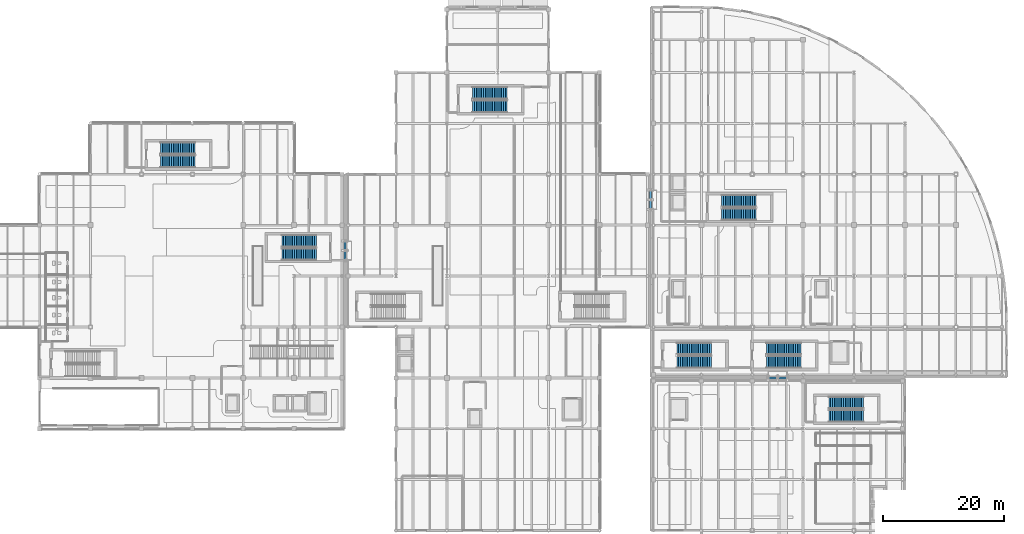
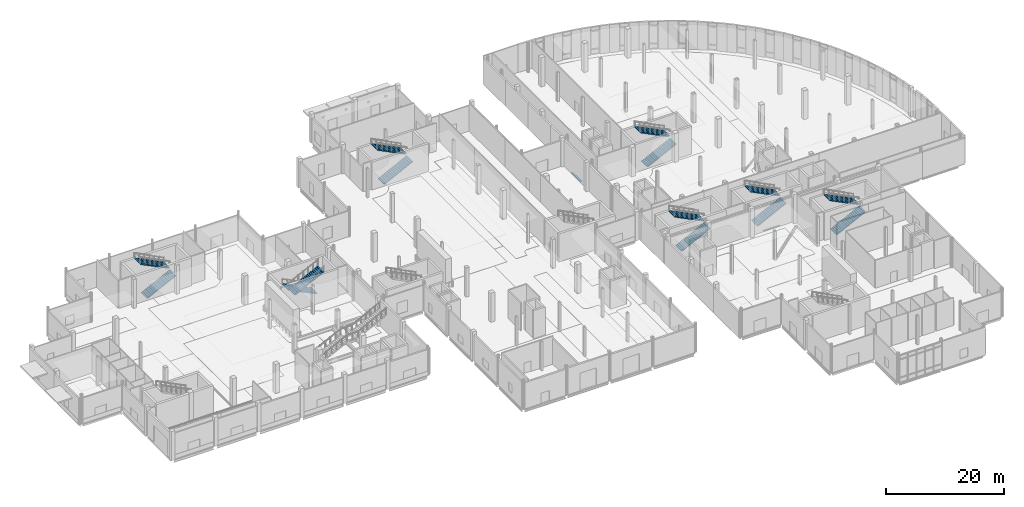
# One storey, part 55 of 85: 14 stair flights, 3 discrete accessories, 7 elements without a shape of their own.
"""IFC4 building model written with IfcOpenShell, lengths in metres."""

from ifc_helpers import new_model, si_unit, direction, frame, origin, origin_2d, place, context, subcontext, project, spatial, polyline, rectangle, outline, extrude, material, type_object, element, aggregate, save


model = new_model("IFC4")

# Units and contexts
model_context = context("Model", 3, precision=1e-05, world=origin(), true_north=direction((0.0, 1.0)))
body_context = subcontext(model_context, "Body", "Model", "MODEL_VIEW")
ifc_project = project(units=[si_unit("LENGTHUNIT", "METRE"), si_unit("AREAUNIT", "SQUARE_METRE"), si_unit("VOLUMEUNIT", "CUBIC_METRE"), si_unit("PLANEANGLEUNIT", "RADIAN"), si_unit("MASSUNIT", "GRAM", prefix="KILO"), si_unit("THERMODYNAMICTEMPERATUREUNIT", "KELVIN")], contexts=[model_context])

# Site, building, storey
site_placement = place(None, origin())
site = spatial("IfcSite", under=ifc_project, at=site_placement, CompositionType="ELEMENT")
building_placement = place(site_placement, origin())
building = spatial("IfcBuilding", under=site, at=building_placement, Name="Lustrewick Department Store", CompositionType="ELEMENT")
storey_placement = place(building_placement, origin())
storey = spatial("IfcBuildingStorey", under=building, at=storey_placement, Name="L01", CompositionType="ELEMENT", Elevation=0.0)

# Stair, stair flights
ifc_material_1 = material(Name="Concrete C30", Category="concrete")
stair_type = type_object("IfcStairType", Name="ST-H60", PredefinedType="HALF_TURN_STAIR", material=ifc_material_1)
stair_1_placement = place(storey_placement, origin())
stair_1 = element("IfcStair", 1, at=stair_1_placement, inside=storey, type_object=stair_type, Name="L01 Smoke-Proof Exit Stair ST02", PredefinedType="HALF_TURN_STAIR")
stair_flight_type = type_object("IfcStairFlightType", Name="SF-H60", PredefinedType="STRAIGHT", material=ifc_material_1)
stair_flight_1_placement = place(storey_placement, frame((54.050048828125, 73.0, 0.0), z_axis=(0.0, 0.0, 1.0), x_axis=(-1.0, 0.0, 0.0)))
stair_flight_1 = element("IfcStairFlight", 2, at=stair_flight_1_placement, type_object=stair_flight_type, Name="ST-H60 flight 1", NumberOfRisers=20, NumberOfTreads=19, PredefinedType="STRAIGHT", RiserHeight=0.15, TreadLength=0.3, context=body_context, shape_type="SweptSolid", body=[
    extrude(outline(polyline([(0.0, 0.0), (0.0, 0.14990234375), (0.300048828125, 0.14990234375), (0.300048828125, 0.300048828125), (0.60009765625, 0.300048828125), (0.60009765625, 0.449951171875), (0.89990234375, 0.449951171875), (0.89990234375, 0.60009765625), (1.199951171875, 0.60009765625), (1.199951171875, 0.75), (1.5, 0.75), (1.5, 0.89990234375), (1.800048828125, 0.89990234375), (1.800048828125, 1.050048828125), (2.10009765625, 1.050048828125), (2.10009765625, 1.199951171875), (2.39990234375, 1.199951171875), (2.39990234375, 1.35009765625), (2.699951171875, 1.35009765625), (2.699951171875, 1.5), (3.0, 1.5), (3.0, 1.64990234375), (3.300048828125, 1.64990234375), (3.300048828125, 1.800048828125), (3.60009765625, 1.800048828125), (3.60009765625, 1.949951171875), (3.89990234375, 1.949951171875), (3.89990234375, 2.10009765625), (4.199951171875, 2.10009765625), (4.199951171875, 2.25), (4.5, 2.25), (4.5, 2.39990234375), (4.800048828125, 2.39990234375), (4.800048828125, 2.550048828125), (5.10009765625, 2.550048828125), (5.10009765625, 2.699951171875), (5.39990234375, 2.699951171875), (5.39990234375, 2.85009765625), (5.699951171875, 2.85009765625), (5.699951171875, 3.0), (5.699951171875, 2.671142578125), (0.357666015625, 0.0), (0.0, 0.0)])), frame((0.0, 1.0, 0.0), z_axis=(0.0, -1.0, 0.0), x_axis=(1.0, 0.0, 0.0)), (0.0, 0.0, 1.0), 2.0),
])
stair_flight_2_placement = place(storey_placement, frame((48.35009765625, 70.800048828125, 3.0), z_axis=(0.0, 0.0, 1.0), x_axis=(1.0, 0.0, 0.0)))
stair_flight_2 = element("IfcStairFlight", 3, at=stair_flight_2_placement, type_object=stair_flight_type, Name="ST-H60 flight 2", NumberOfRisers=20, NumberOfTreads=19, PredefinedType="STRAIGHT", RiserHeight=0.15, TreadLength=0.3, context=body_context, shape_type="SweptSolid", body=[
    extrude(outline(polyline([(0.0, 0.0), (0.0, 0.14990234375), (0.300048828125, 0.14990234375), (0.300048828125, 0.300048828125), (0.60009765625, 0.300048828125), (0.60009765625, 0.449951171875), (0.89990234375, 0.449951171875), (0.89990234375, 0.60009765625), (1.199951171875, 0.60009765625), (1.199951171875, 0.75), (1.5, 0.75), (1.5, 0.89990234375), (1.800048828125, 0.89990234375), (1.800048828125, 1.050048828125), (2.10009765625, 1.050048828125), (2.10009765625, 1.199951171875), (2.39990234375, 1.199951171875), (2.39990234375, 1.35009765625), (2.699951171875, 1.35009765625), (2.699951171875, 1.5), (3.0, 1.5), (3.0, 1.64990234375), (3.300048828125, 1.64990234375), (3.300048828125, 1.800048828125), (3.60009765625, 1.800048828125), (3.60009765625, 1.949951171875), (3.89990234375, 1.949951171875), (3.89990234375, 2.10009765625), (4.199951171875, 2.10009765625), (4.199951171875, 2.25), (4.5, 2.25), (4.5, 2.39990234375), (4.800048828125, 2.39990234375), (4.800048828125, 2.550048828125), (5.10009765625, 2.550048828125), (5.10009765625, 2.699951171875), (5.39990234375, 2.699951171875), (5.39990234375, 2.85009765625), (5.699951171875, 2.85009765625), (5.699951171875, 3.0), (5.699951171875, 2.671142578125), (0.357666015625, 0.0), (0.0, 0.0)])), frame((0.0, 1.0, 0.0), z_axis=(0.0, -1.0, 0.0), x_axis=(1.0, 0.0, 0.0)), (0.0, 0.0, 1.0), 2.0),
])
aggregate(stair_1, [stair_flight_1, stair_flight_2])

stair_2_placement = place(storey_placement, origin())
stair_2 = element("IfcStair", 4, at=stair_2_placement, inside=storey, type_object=stair_type, Name="L01 Smoke-Proof Exit Stair ST03", PredefinedType="HALF_TURN_STAIR")
stair_flight_3_placement = place(storey_placement, frame((28.35009765625, 86.10009765625, 0.0), z_axis=(0.0, 0.0, 1.0), x_axis=(1.0, 0.0, 0.0)))
stair_flight_3 = element("IfcStairFlight", 5, at=stair_flight_3_placement, type_object=stair_flight_type, Name="ST-H60 flight 1", NumberOfRisers=20, NumberOfTreads=19, PredefinedType="STRAIGHT", RiserHeight=0.15, TreadLength=0.3, context=body_context, shape_type="SweptSolid", body=[
    extrude(outline(polyline([(0.0, 0.0), (0.0, 0.14990234375), (0.300048828125, 0.14990234375), (0.300048828125, 0.300048828125), (0.60009765625, 0.300048828125), (0.60009765625, 0.449951171875), (0.89990234375, 0.449951171875), (0.89990234375, 0.60009765625), (1.199951171875, 0.60009765625), (1.199951171875, 0.75), (1.5, 0.75), (1.5, 0.89990234375), (1.800048828125, 0.89990234375), (1.800048828125, 1.050048828125), (2.10009765625, 1.050048828125), (2.10009765625, 1.199951171875), (2.39990234375, 1.199951171875), (2.39990234375, 1.35009765625), (2.699951171875, 1.35009765625), (2.699951171875, 1.5), (3.0, 1.5), (3.0, 1.64990234375), (3.300048828125, 1.64990234375), (3.300048828125, 1.800048828125), (3.60009765625, 1.800048828125), (3.60009765625, 1.949951171875), (3.89990234375, 1.949951171875), (3.89990234375, 2.10009765625), (4.199951171875, 2.10009765625), (4.199951171875, 2.25), (4.5, 2.25), (4.5, 2.39990234375), (4.800048828125, 2.39990234375), (4.800048828125, 2.550048828125), (5.10009765625, 2.550048828125), (5.10009765625, 2.699951171875), (5.39990234375, 2.699951171875), (5.39990234375, 2.85009765625), (5.699951171875, 2.85009765625), (5.699951171875, 3.0), (5.699951171875, 2.671142578125), (0.357666015625, 0.0), (0.0, 0.0)])), frame((0.0, 1.0, 0.0), z_axis=(0.0, -1.0, 0.0), x_axis=(1.0, 0.0, 0.0)), (0.0, 0.0, 1.0), 2.0),
])
stair_flight_4_placement = place(storey_placement, frame((34.050048828125, 88.300048828125, 3.0), z_axis=(0.0, 0.0, 1.0), x_axis=(-1.0, 0.0, 0.0)))
stair_flight_4 = element("IfcStairFlight", 6, at=stair_flight_4_placement, type_object=stair_flight_type, Name="ST-H60 flight 2", NumberOfRisers=20, NumberOfTreads=19, PredefinedType="STRAIGHT", RiserHeight=0.15, TreadLength=0.3, context=body_context, shape_type="SweptSolid", body=[
    extrude(outline(polyline([(0.0, 0.0), (0.0, 0.14990234375), (0.300048828125, 0.14990234375), (0.300048828125, 0.300048828125), (0.60009765625, 0.300048828125), (0.60009765625, 0.449951171875), (0.89990234375, 0.449951171875), (0.89990234375, 0.60009765625), (1.199951171875, 0.60009765625), (1.199951171875, 0.75), (1.5, 0.75), (1.5, 0.89990234375), (1.800048828125, 0.89990234375), (1.800048828125, 1.050048828125), (2.10009765625, 1.050048828125), (2.10009765625, 1.199951171875), (2.39990234375, 1.199951171875), (2.39990234375, 1.35009765625), (2.699951171875, 1.35009765625), (2.699951171875, 1.5), (3.0, 1.5), (3.0, 1.64990234375), (3.300048828125, 1.64990234375), (3.300048828125, 1.800048828125), (3.60009765625, 1.800048828125), (3.60009765625, 1.949951171875), (3.89990234375, 1.949951171875), (3.89990234375, 2.10009765625), (4.199951171875, 2.10009765625), (4.199951171875, 2.25), (4.5, 2.25), (4.5, 2.39990234375), (4.800048828125, 2.39990234375), (4.800048828125, 2.550048828125), (5.10009765625, 2.550048828125), (5.10009765625, 2.699951171875), (5.39990234375, 2.699951171875), (5.39990234375, 2.85009765625), (5.699951171875, 2.85009765625), (5.699951171875, 3.0), (5.699951171875, 2.671142578125), (0.357666015625, 0.0), (0.0, 0.0)])), frame((0.0, 1.0, 0.0), z_axis=(0.0, -1.0, 0.0), x_axis=(1.0, 0.0, 0.0)), (0.0, 0.0, 1.0), 2.0),
])
aggregate(stair_2, [stair_flight_3, stair_flight_4])

stair_3_placement = place(storey_placement, origin())
stair_3 = element("IfcStair", 7, at=stair_3_placement, inside=storey, type_object=stair_type, Name="L01 Smoke-Proof Exit Stair ST06", PredefinedType="HALF_TURN_STAIR")
stair_flight_5_placement = place(storey_placement, frame((79.85009765625, 95.199951171875, 0.0), z_axis=(0.0, 0.0, 1.0), x_axis=(1.0, 0.0, 0.0)))
stair_flight_5 = element("IfcStairFlight", 8, at=stair_flight_5_placement, type_object=stair_flight_type, Name="ST-H60 flight 1", NumberOfRisers=20, NumberOfTreads=19, PredefinedType="STRAIGHT", RiserHeight=0.15, TreadLength=0.3, context=body_context, shape_type="SweptSolid", body=[
    extrude(outline(polyline([(0.0, 0.0), (0.0, 0.14990234375), (0.300048828125, 0.14990234375), (0.300048828125, 0.300048828125), (0.60009765625, 0.300048828125), (0.60009765625, 0.449951171875), (0.89990234375, 0.449951171875), (0.89990234375, 0.60009765625), (1.199951171875, 0.60009765625), (1.199951171875, 0.75), (1.5, 0.75), (1.5, 0.89990234375), (1.800048828125, 0.89990234375), (1.800048828125, 1.050048828125), (2.10009765625, 1.050048828125), (2.10009765625, 1.199951171875), (2.39990234375, 1.199951171875), (2.39990234375, 1.35009765625), (2.699951171875, 1.35009765625), (2.699951171875, 1.5), (3.0, 1.5), (3.0, 1.64990234375), (3.300048828125, 1.64990234375), (3.300048828125, 1.800048828125), (3.60009765625, 1.800048828125), (3.60009765625, 1.949951171875), (3.89990234375, 1.949951171875), (3.89990234375, 2.10009765625), (4.199951171875, 2.10009765625), (4.199951171875, 2.25), (4.5, 2.25), (4.5, 2.39990234375), (4.800048828125, 2.39990234375), (4.800048828125, 2.550048828125), (5.10009765625, 2.550048828125), (5.10009765625, 2.699951171875), (5.39990234375, 2.699951171875), (5.39990234375, 2.85009765625), (5.699951171875, 2.85009765625), (5.699951171875, 3.0), (5.699951171875, 2.671142578125), (0.357666015625, 0.0), (0.0, 0.0)])), frame((0.0, 1.0, 0.0), z_axis=(0.0, -1.0, 0.0), x_axis=(1.0, 0.0, 0.0)), (0.0, 0.0, 1.0), 2.0),
])
stair_flight_6_placement = place(storey_placement, frame((85.550048828125, 97.39990234375, 3.0), z_axis=(0.0, 0.0, 1.0), x_axis=(-1.0, 0.0, 0.0)))
stair_flight_6 = element("IfcStairFlight", 9, at=stair_flight_6_placement, type_object=stair_flight_type, Name="ST-H60 flight 2", NumberOfRisers=20, NumberOfTreads=19, PredefinedType="STRAIGHT", RiserHeight=0.15, TreadLength=0.3, context=body_context, shape_type="SweptSolid", body=[
    extrude(outline(polyline([(0.0, 0.0), (0.0, 0.14990234375), (0.300048828125, 0.14990234375), (0.300048828125, 0.300048828125), (0.60009765625, 0.300048828125), (0.60009765625, 0.449951171875), (0.89990234375, 0.449951171875), (0.89990234375, 0.60009765625), (1.199951171875, 0.60009765625), (1.199951171875, 0.75), (1.5, 0.75), (1.5, 0.89990234375), (1.800048828125, 0.89990234375), (1.800048828125, 1.050048828125), (2.10009765625, 1.050048828125), (2.10009765625, 1.199951171875), (2.39990234375, 1.199951171875), (2.39990234375, 1.35009765625), (2.699951171875, 1.35009765625), (2.699951171875, 1.5), (3.0, 1.5), (3.0, 1.64990234375), (3.300048828125, 1.64990234375), (3.300048828125, 1.800048828125), (3.60009765625, 1.800048828125), (3.60009765625, 1.949951171875), (3.89990234375, 1.949951171875), (3.89990234375, 2.10009765625), (4.199951171875, 2.10009765625), (4.199951171875, 2.25), (4.5, 2.25), (4.5, 2.39990234375), (4.800048828125, 2.39990234375), (4.800048828125, 2.550048828125), (5.10009765625, 2.550048828125), (5.10009765625, 2.699951171875), (5.39990234375, 2.699951171875), (5.39990234375, 2.85009765625), (5.699951171875, 2.85009765625), (5.699951171875, 3.0), (5.699951171875, 2.671142578125), (0.357666015625, 0.0), (0.0, 0.0)])), frame((0.0, 1.0, 0.0), z_axis=(0.0, -1.0, 0.0), x_axis=(1.0, 0.0, 0.0)), (0.0, 0.0, 1.0), 2.0),
])
aggregate(stair_3, [stair_flight_5, stair_flight_6])

stair_4_placement = place(storey_placement, origin())
stair_4 = element("IfcStair", 10, at=stair_4_placement, inside=storey, type_object=stair_type, Name="L01 Smoke-Proof Exit Stair ST08", PredefinedType="HALF_TURN_STAIR")
stair_flight_7_placement = place(storey_placement, frame((138.64990234375, 44.10009765625, 0.0), z_axis=(0.0, 0.0, 1.0), x_axis=(1.0, 0.0, 0.0)))
stair_flight_7 = element("IfcStairFlight", 11, at=stair_flight_7_placement, type_object=stair_flight_type, Name="ST-H60 flight 1", NumberOfRisers=20, NumberOfTreads=19, PredefinedType="STRAIGHT", RiserHeight=0.15, TreadLength=0.3, context=body_context, shape_type="SweptSolid", body=[
    extrude(outline(polyline([(0.0, 0.0), (0.0, 0.14990234375), (0.300048828125, 0.14990234375), (0.300048828125, 0.300048828125), (0.60009765625, 0.300048828125), (0.60009765625, 0.449951171875), (0.89990234375, 0.449951171875), (0.89990234375, 0.60009765625), (1.199951171875, 0.60009765625), (1.199951171875, 0.75), (1.5, 0.75), (1.5, 0.89990234375), (1.800048828125, 0.89990234375), (1.800048828125, 1.050048828125), (2.10009765625, 1.050048828125), (2.10009765625, 1.199951171875), (2.39990234375, 1.199951171875), (2.39990234375, 1.35009765625), (2.699951171875, 1.35009765625), (2.699951171875, 1.5), (3.0, 1.5), (3.0, 1.64990234375), (3.300048828125, 1.64990234375), (3.300048828125, 1.800048828125), (3.60009765625, 1.800048828125), (3.60009765625, 1.949951171875), (3.89990234375, 1.949951171875), (3.89990234375, 2.10009765625), (4.199951171875, 2.10009765625), (4.199951171875, 2.25), (4.5, 2.25), (4.5, 2.39990234375), (4.800048828125, 2.39990234375), (4.800048828125, 2.550048828125), (5.10009765625, 2.550048828125), (5.10009765625, 2.699951171875), (5.39990234375, 2.699951171875), (5.39990234375, 2.85009765625), (5.699951171875, 2.85009765625), (5.699951171875, 3.0), (5.699951171875, 2.671142578125), (0.357666015625, 0.0), (0.0, 0.0)])), frame((0.0, 1.0, 0.0), z_axis=(0.0, -1.0, 0.0), x_axis=(1.0, 0.0, 0.0)), (0.0, 0.0, 1.0), 2.0),
])
stair_flight_8_placement = place(storey_placement, frame((144.35009765625, 46.300048828125, 3.0), z_axis=(0.0, 0.0, 1.0), x_axis=(-1.0, 0.0, 0.0)))
stair_flight_8 = element("IfcStairFlight", 12, at=stair_flight_8_placement, type_object=stair_flight_type, Name="ST-H60 flight 2", NumberOfRisers=20, NumberOfTreads=19, PredefinedType="STRAIGHT", RiserHeight=0.15, TreadLength=0.3, context=body_context, shape_type="SweptSolid", body=[
    extrude(outline(polyline([(0.0, 0.0), (0.0, 0.14990234375), (0.300048828125, 0.14990234375), (0.300048828125, 0.300048828125), (0.60009765625, 0.300048828125), (0.60009765625, 0.449951171875), (0.89990234375, 0.449951171875), (0.89990234375, 0.60009765625), (1.199951171875, 0.60009765625), (1.199951171875, 0.75), (1.5, 0.75), (1.5, 0.89990234375), (1.800048828125, 0.89990234375), (1.800048828125, 1.050048828125), (2.10009765625, 1.050048828125), (2.10009765625, 1.199951171875), (2.39990234375, 1.199951171875), (2.39990234375, 1.35009765625), (2.699951171875, 1.35009765625), (2.699951171875, 1.5), (3.0, 1.5), (3.0, 1.64990234375), (3.300048828125, 1.64990234375), (3.300048828125, 1.800048828125), (3.60009765625, 1.800048828125), (3.60009765625, 1.949951171875), (3.89990234375, 1.949951171875), (3.89990234375, 2.10009765625), (4.199951171875, 2.10009765625), (4.199951171875, 2.25), (4.5, 2.25), (4.5, 2.39990234375), (4.800048828125, 2.39990234375), (4.800048828125, 2.550048828125), (5.10009765625, 2.550048828125), (5.10009765625, 2.699951171875), (5.39990234375, 2.699951171875), (5.39990234375, 2.85009765625), (5.699951171875, 2.85009765625), (5.699951171875, 3.0), (5.699951171875, 2.671142578125), (0.357666015625, 0.0), (0.0, 0.0)])), frame((0.0, 1.0, 0.0), z_axis=(0.0, -1.0, 0.0), x_axis=(1.0, 0.0, 0.0)), (0.0, 0.0, 1.0), 2.0),
])
aggregate(stair_4, [stair_flight_7, stair_flight_8])

stair_5_placement = place(storey_placement, origin())
stair_5 = element("IfcStair", 13, at=stair_5_placement, inside=storey, type_object=stair_type, Name="L01 Smoke-Proof Exit Stair ST09", PredefinedType="HALF_TURN_STAIR")
stair_flight_9_placement = place(storey_placement, frame((113.550048828125, 53.0, 0.0), z_axis=(0.0, 0.0, 1.0), x_axis=(1.0, 0.0, 0.0)))
stair_flight_9 = element("IfcStairFlight", 14, at=stair_flight_9_placement, type_object=stair_flight_type, Name="ST-H60 flight 1", NumberOfRisers=20, NumberOfTreads=19, PredefinedType="STRAIGHT", RiserHeight=0.15, TreadLength=0.3, context=body_context, shape_type="SweptSolid", body=[
    extrude(outline(polyline([(0.0, 0.0), (0.0, 0.14990234375), (0.300048828125, 0.14990234375), (0.300048828125, 0.300048828125), (0.60009765625, 0.300048828125), (0.60009765625, 0.449951171875), (0.89990234375, 0.449951171875), (0.89990234375, 0.60009765625), (1.199951171875, 0.60009765625), (1.199951171875, 0.75), (1.5, 0.75), (1.5, 0.89990234375), (1.800048828125, 0.89990234375), (1.800048828125, 1.050048828125), (2.10009765625, 1.050048828125), (2.10009765625, 1.199951171875), (2.39990234375, 1.199951171875), (2.39990234375, 1.35009765625), (2.699951171875, 1.35009765625), (2.699951171875, 1.5), (3.0, 1.5), (3.0, 1.64990234375), (3.300048828125, 1.64990234375), (3.300048828125, 1.800048828125), (3.60009765625, 1.800048828125), (3.60009765625, 1.949951171875), (3.89990234375, 1.949951171875), (3.89990234375, 2.10009765625), (4.199951171875, 2.10009765625), (4.199951171875, 2.25), (4.5, 2.25), (4.5, 2.39990234375), (4.800048828125, 2.39990234375), (4.800048828125, 2.550048828125), (5.10009765625, 2.550048828125), (5.10009765625, 2.699951171875), (5.39990234375, 2.699951171875), (5.39990234375, 2.85009765625), (5.699951171875, 2.85009765625), (5.699951171875, 3.0), (5.699951171875, 2.671142578125), (0.357666015625, 0.0), (0.0, 0.0)])), frame((0.0, 1.0, 0.0), z_axis=(0.0, -1.0, 0.0), x_axis=(1.0, 0.0, 0.0)), (0.0, 0.0, 1.0), 2.0),
])
stair_flight_10_placement = place(storey_placement, frame((119.25, 55.199951171875, 3.0), z_axis=(0.0, 0.0, 1.0), x_axis=(-1.0, 0.0, 0.0)))
stair_flight_10 = element("IfcStairFlight", 15, at=stair_flight_10_placement, type_object=stair_flight_type, Name="ST-H60 flight 2", NumberOfRisers=20, NumberOfTreads=19, PredefinedType="STRAIGHT", RiserHeight=0.15, TreadLength=0.3, context=body_context, shape_type="SweptSolid", body=[
    extrude(outline(polyline([(0.0, 0.0), (0.0, 0.14990234375), (0.300048828125, 0.14990234375), (0.300048828125, 0.300048828125), (0.60009765625, 0.300048828125), (0.60009765625, 0.449951171875), (0.89990234375, 0.449951171875), (0.89990234375, 0.60009765625), (1.199951171875, 0.60009765625), (1.199951171875, 0.75), (1.5, 0.75), (1.5, 0.89990234375), (1.800048828125, 0.89990234375), (1.800048828125, 1.050048828125), (2.10009765625, 1.050048828125), (2.10009765625, 1.199951171875), (2.39990234375, 1.199951171875), (2.39990234375, 1.35009765625), (2.699951171875, 1.35009765625), (2.699951171875, 1.5), (3.0, 1.5), (3.0, 1.64990234375), (3.300048828125, 1.64990234375), (3.300048828125, 1.800048828125), (3.60009765625, 1.800048828125), (3.60009765625, 1.949951171875), (3.89990234375, 1.949951171875), (3.89990234375, 2.10009765625), (4.199951171875, 2.10009765625), (4.199951171875, 2.25), (4.5, 2.25), (4.5, 2.39990234375), (4.800048828125, 2.39990234375), (4.800048828125, 2.550048828125), (5.10009765625, 2.550048828125), (5.10009765625, 2.699951171875), (5.39990234375, 2.699951171875), (5.39990234375, 2.85009765625), (5.699951171875, 2.85009765625), (5.699951171875, 3.0), (5.699951171875, 2.671142578125), (0.357666015625, 0.0), (0.0, 0.0)])), frame((0.0, 1.0, 0.0), z_axis=(0.0, -1.0, 0.0), x_axis=(1.0, 0.0, 0.0)), (0.0, 0.0, 1.0), 2.0),
])
aggregate(stair_5, [stair_flight_9, stair_flight_10])

stair_6_placement = place(storey_placement, origin())
stair_6 = element("IfcStair", 16, at=stair_6_placement, inside=storey, type_object=stair_type, Name="L01 Smoke-Proof Exit Stair ST10", PredefinedType="HALF_TURN_STAIR")
stair_flight_11_placement = place(storey_placement, frame((120.949951171875, 77.39990234375, 0.0), z_axis=(0.0, 0.0, 1.0), x_axis=(1.0, 0.0, 0.0)))
stair_flight_11 = element("IfcStairFlight", 17, at=stair_flight_11_placement, type_object=stair_flight_type, Name="ST-H60 flight 1", NumberOfRisers=20, NumberOfTreads=19, PredefinedType="STRAIGHT", RiserHeight=0.15, TreadLength=0.3, context=body_context, shape_type="SweptSolid", body=[
    extrude(outline(polyline([(0.0, 0.0), (0.0, 0.14990234375), (0.300048828125, 0.14990234375), (0.300048828125, 0.300048828125), (0.60009765625, 0.300048828125), (0.60009765625, 0.449951171875), (0.89990234375, 0.449951171875), (0.89990234375, 0.60009765625), (1.199951171875, 0.60009765625), (1.199951171875, 0.75), (1.5, 0.75), (1.5, 0.89990234375), (1.800048828125, 0.89990234375), (1.800048828125, 1.050048828125), (2.10009765625, 1.050048828125), (2.10009765625, 1.199951171875), (2.39990234375, 1.199951171875), (2.39990234375, 1.35009765625), (2.699951171875, 1.35009765625), (2.699951171875, 1.5), (3.0, 1.5), (3.0, 1.64990234375), (3.300048828125, 1.64990234375), (3.300048828125, 1.800048828125), (3.60009765625, 1.800048828125), (3.60009765625, 1.949951171875), (3.89990234375, 1.949951171875), (3.89990234375, 2.10009765625), (4.199951171875, 2.10009765625), (4.199951171875, 2.25), (4.5, 2.25), (4.5, 2.39990234375), (4.800048828125, 2.39990234375), (4.800048828125, 2.550048828125), (5.10009765625, 2.550048828125), (5.10009765625, 2.699951171875), (5.39990234375, 2.699951171875), (5.39990234375, 2.85009765625), (5.699951171875, 2.85009765625), (5.699951171875, 3.0), (5.699951171875, 2.671142578125), (0.357666015625, 0.0), (0.0, 0.0)])), frame((0.0, 1.0, 0.0), z_axis=(0.0, -1.0, 0.0), x_axis=(1.0, 0.0, 0.0)), (0.0, 0.0, 1.0), 2.0),
])
stair_flight_12_placement = place(storey_placement, frame((126.64990234375, 79.60009765625, 3.0), z_axis=(0.0, 0.0, 1.0), x_axis=(-1.0, 0.0, 0.0)))
stair_flight_12 = element("IfcStairFlight", 18, at=stair_flight_12_placement, type_object=stair_flight_type, Name="ST-H60 flight 2", NumberOfRisers=20, NumberOfTreads=19, PredefinedType="STRAIGHT", RiserHeight=0.15, TreadLength=0.3, context=body_context, shape_type="SweptSolid", body=[
    extrude(outline(polyline([(0.0, 0.0), (0.0, 0.14990234375), (0.300048828125, 0.14990234375), (0.300048828125, 0.300048828125), (0.60009765625, 0.300048828125), (0.60009765625, 0.449951171875), (0.89990234375, 0.449951171875), (0.89990234375, 0.60009765625), (1.199951171875, 0.60009765625), (1.199951171875, 0.75), (1.5, 0.75), (1.5, 0.89990234375), (1.800048828125, 0.89990234375), (1.800048828125, 1.050048828125), (2.10009765625, 1.050048828125), (2.10009765625, 1.199951171875), (2.39990234375, 1.199951171875), (2.39990234375, 1.35009765625), (2.699951171875, 1.35009765625), (2.699951171875, 1.5), (3.0, 1.5), (3.0, 1.64990234375), (3.300048828125, 1.64990234375), (3.300048828125, 1.800048828125), (3.60009765625, 1.800048828125), (3.60009765625, 1.949951171875), (3.89990234375, 1.949951171875), (3.89990234375, 2.10009765625), (4.199951171875, 2.10009765625), (4.199951171875, 2.25), (4.5, 2.25), (4.5, 2.39990234375), (4.800048828125, 2.39990234375), (4.800048828125, 2.550048828125), (5.10009765625, 2.550048828125), (5.10009765625, 2.699951171875), (5.39990234375, 2.699951171875), (5.39990234375, 2.85009765625), (5.699951171875, 2.85009765625), (5.699951171875, 3.0), (5.699951171875, 2.671142578125), (0.357666015625, 0.0), (0.0, 0.0)])), frame((0.0, 1.0, 0.0), z_axis=(0.0, -1.0, 0.0), x_axis=(1.0, 0.0, 0.0)), (0.0, 0.0, 1.0), 2.0),
])
aggregate(stair_6, [stair_flight_11, stair_flight_12])

stair_7_placement = place(storey_placement, origin())
stair_7 = element("IfcStair", 19, at=stair_7_placement, inside=storey, type_object=stair_type, Name="L01 Smoke-Proof Exit Stair ST11", PredefinedType="HALF_TURN_STAIR")
stair_flight_13_placement = place(storey_placement, frame((128.35009765625, 53.0, 0.0), z_axis=(0.0, 0.0, 1.0), x_axis=(1.0, 0.0, 0.0)))
stair_flight_13 = element("IfcStairFlight", 20, at=stair_flight_13_placement, type_object=stair_flight_type, Name="ST-H60 flight 1", NumberOfRisers=20, NumberOfTreads=19, PredefinedType="STRAIGHT", RiserHeight=0.15, TreadLength=0.3, context=body_context, shape_type="SweptSolid", body=[
    extrude(outline(polyline([(0.0, 0.0), (0.0, 0.14990234375), (0.300048828125, 0.14990234375), (0.300048828125, 0.300048828125), (0.60009765625, 0.300048828125), (0.60009765625, 0.449951171875), (0.89990234375, 0.449951171875), (0.89990234375, 0.60009765625), (1.199951171875, 0.60009765625), (1.199951171875, 0.75), (1.5, 0.75), (1.5, 0.89990234375), (1.800048828125, 0.89990234375), (1.800048828125, 1.050048828125), (2.10009765625, 1.050048828125), (2.10009765625, 1.199951171875), (2.39990234375, 1.199951171875), (2.39990234375, 1.35009765625), (2.699951171875, 1.35009765625), (2.699951171875, 1.5), (3.0, 1.5), (3.0, 1.64990234375), (3.300048828125, 1.64990234375), (3.300048828125, 1.800048828125), (3.60009765625, 1.800048828125), (3.60009765625, 1.949951171875), (3.89990234375, 1.949951171875), (3.89990234375, 2.10009765625), (4.199951171875, 2.10009765625), (4.199951171875, 2.25), (4.5, 2.25), (4.5, 2.39990234375), (4.800048828125, 2.39990234375), (4.800048828125, 2.550048828125), (5.10009765625, 2.550048828125), (5.10009765625, 2.699951171875), (5.39990234375, 2.699951171875), (5.39990234375, 2.85009765625), (5.699951171875, 2.85009765625), (5.699951171875, 3.0), (5.699951171875, 2.671142578125), (0.357666015625, 0.0), (0.0, 0.0)])), frame((0.0, 1.0, 0.0), z_axis=(0.0, -1.0, 0.0), x_axis=(1.0, 0.0, 0.0)), (0.0, 0.0, 1.0), 2.0),
])
stair_flight_14_placement = place(storey_placement, frame((134.050048828125, 55.199951171875, 3.0), z_axis=(0.0, 0.0, 1.0), x_axis=(-1.0, 0.0, 0.0)))
stair_flight_14 = element("IfcStairFlight", 21, at=stair_flight_14_placement, type_object=stair_flight_type, Name="ST-H60 flight 2", NumberOfRisers=20, NumberOfTreads=19, PredefinedType="STRAIGHT", RiserHeight=0.15, TreadLength=0.3, context=body_context, shape_type="SweptSolid", body=[
    extrude(outline(polyline([(0.0, 0.0), (0.0, 0.14990234375), (0.300048828125, 0.14990234375), (0.300048828125, 0.300048828125), (0.60009765625, 0.300048828125), (0.60009765625, 0.449951171875), (0.89990234375, 0.449951171875), (0.89990234375, 0.60009765625), (1.199951171875, 0.60009765625), (1.199951171875, 0.75), (1.5, 0.75), (1.5, 0.89990234375), (1.800048828125, 0.89990234375), (1.800048828125, 1.050048828125), (2.10009765625, 1.050048828125), (2.10009765625, 1.199951171875), (2.39990234375, 1.199951171875), (2.39990234375, 1.35009765625), (2.699951171875, 1.35009765625), (2.699951171875, 1.5), (3.0, 1.5), (3.0, 1.64990234375), (3.300048828125, 1.64990234375), (3.300048828125, 1.800048828125), (3.60009765625, 1.800048828125), (3.60009765625, 1.949951171875), (3.89990234375, 1.949951171875), (3.89990234375, 2.10009765625), (4.199951171875, 2.10009765625), (4.199951171875, 2.25), (4.5, 2.25), (4.5, 2.39990234375), (4.800048828125, 2.39990234375), (4.800048828125, 2.550048828125), (5.10009765625, 2.550048828125), (5.10009765625, 2.699951171875), (5.39990234375, 2.699951171875), (5.39990234375, 2.85009765625), (5.699951171875, 2.85009765625), (5.699951171875, 3.0), (5.699951171875, 2.671142578125), (0.357666015625, 0.0), (0.0, 0.0)])), frame((0.0, 1.0, 0.0), z_axis=(0.0, -1.0, 0.0), x_axis=(1.0, 0.0, 0.0)), (0.0, 0.0, 1.0), 2.0),
])
aggregate(stair_7, [stair_flight_13, stair_flight_14])

# Discrete accessories
ifc_material_2 = material(Name="Structural steel Q355C", Category="steel")
discrete_accessory_type = type_object("IfcDiscreteAccessoryType", Name="SJC-01", PredefinedType="USERDEFINED", material=ifc_material_2)
for number, where, z_axis, x_axis, name in (
    (22, (58.800048828125, 71.39990234375, -0.02392578125), (0.0, 0.0, 1.0), (1.0, 0.0, 0.0), "L01 Skybridge SB12 Flush Seismic Joint Cover Plate"),
    (23, (109.199951171875, 79.800048828125, -0.02392578125), (0.0, 0.0, 1.0), (1.0, 0.0, 0.0), "L01 Skybridge SB24 Flush Seismic Joint Cover Plate"),
):
    element("IfcDiscreteAccessory", number, at=place(storey_placement, frame(where, z_axis=z_axis, x_axis=x_axis)), inside=storey, type_object=discrete_accessory_type, Name=name, ObjectType="SEISMIC_JOINT_COVER", PredefinedType="USERDEFINED", context=body_context, shape_type="SweptSolid", body=[
        extrude(rectangle(XDim=0.360107421875, YDim=3.199951171875, at=origin_2d()), origin(), (0.0, 0.0, 1.0), 0.02392578125),
    ])
discrete_accessory_placement = place(storey_placement, frame((130.199951171875, 50.39990234375, -0.02392578125), z_axis=(0.0, 0.0, 1.0), x_axis=(1.0, 0.0, 0.0)))
element("IfcDiscreteAccessory", 24, at=discrete_accessory_placement, inside=storey, type_object=discrete_accessory_type, Name="L01 Skybridge SB34 Flush Seismic Joint Cover Plate", ObjectType="SEISMIC_JOINT_COVER", PredefinedType="USERDEFINED", context=body_context, shape_type="SweptSolid", body=[
    extrude(rectangle(XDim=3.199951171875, YDim=0.360107421875, at=origin_2d()), origin(), (0.0, 0.0, 1.0), 0.02392578125),
])

save(model, "model.ifc")
